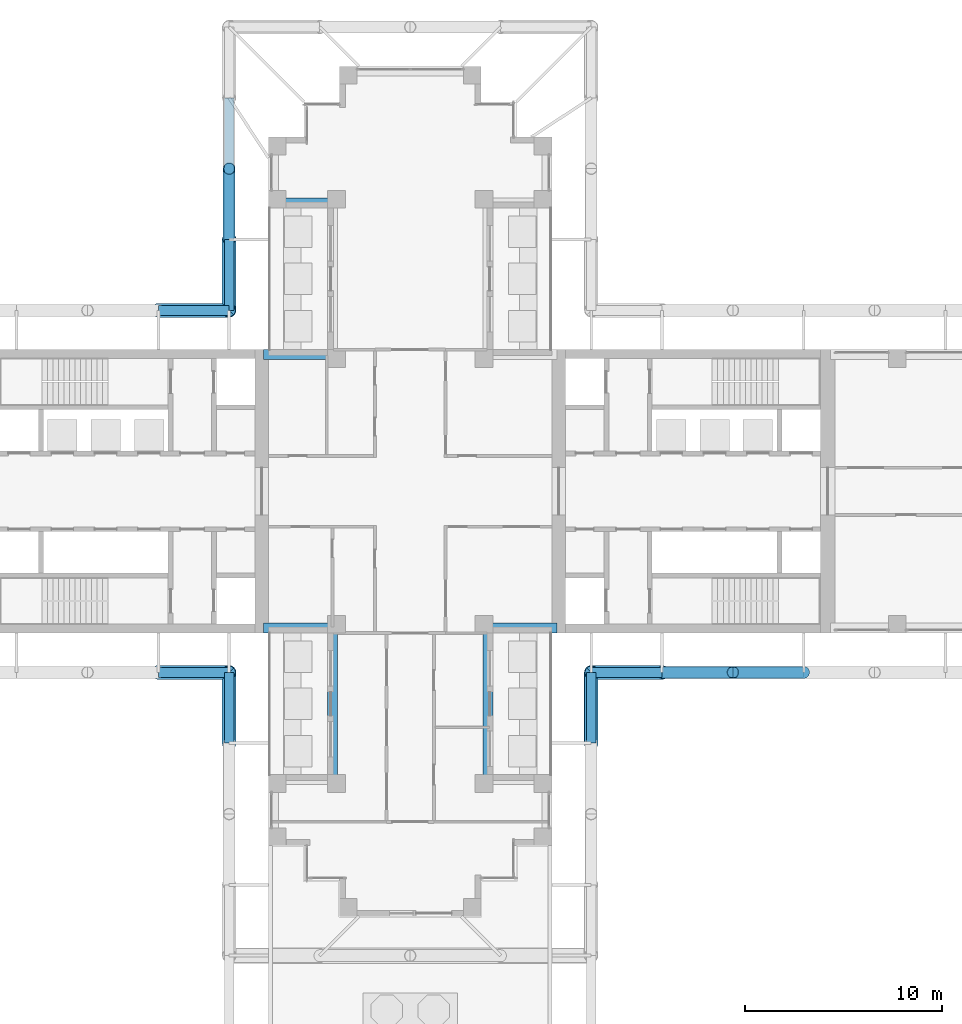
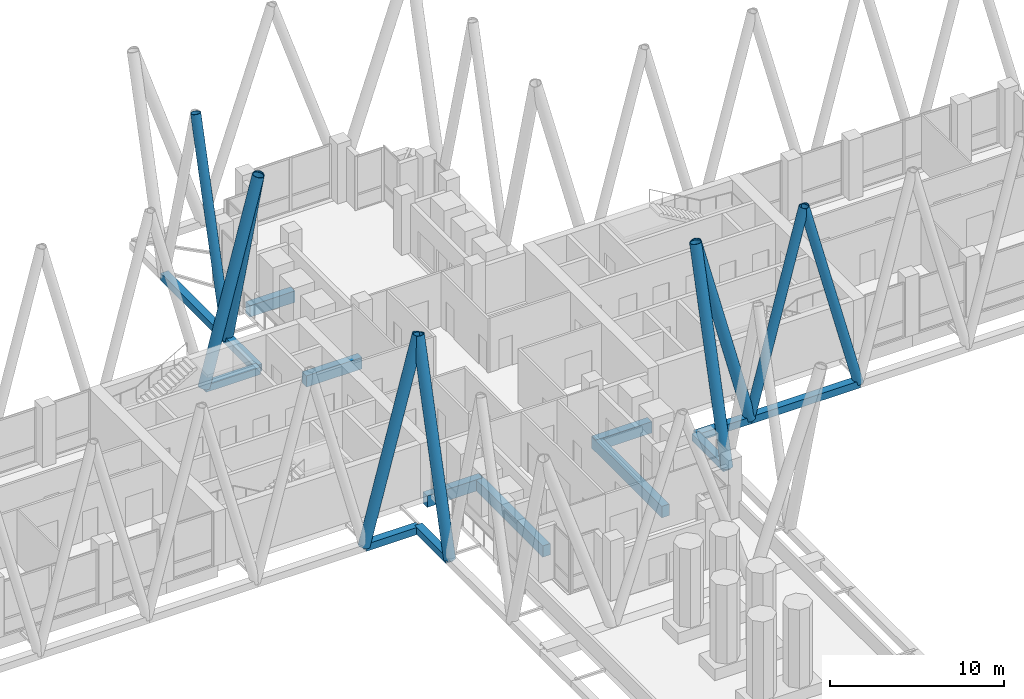
# One storey, part 6 of 22: 17 members, 6 beams.
"""IFC4 building model written with IfcOpenShell, lengths in metres."""

from ifc_helpers import new_model, si_unit, direction, frame, origin, origin_2d, place, context, subcontext, project, spatial, rectangle, hollow_rectangle, hollow_circle, extrude, material, material_profile, profile_set, type_object, element, save


model = new_model("IFC4")

# Units and contexts
model_context = context("Model", 3, precision=1e-05, world=origin(), true_north=direction((0.0, 1.0)))
body_context = subcontext(model_context, "Body", "Model", "MODEL_VIEW")
ifc_project = project(units=[si_unit("LENGTHUNIT", "METRE"), si_unit("AREAUNIT", "SQUARE_METRE"), si_unit("VOLUMEUNIT", "CUBIC_METRE"), si_unit("PLANEANGLEUNIT", "RADIAN"), si_unit("MASSUNIT", "GRAM", prefix="KILO")], contexts=[model_context])

# Site, building, storey
site_placement = place(None, origin())
site = spatial("IfcSite", under=ifc_project, at=site_placement, CompositionType="ELEMENT")
building_placement = place(site_placement, origin())
building = spatial("IfcBuilding", under=site, at=building_placement, Name="Fustian Cross Tower", CompositionType="ELEMENT")
storey_placement = place(building_placement, frame((0.0, 0.0, 116.10009765625)))
storey = spatial("IfcBuildingStorey", under=building, at=storey_placement, Name="L36", CompositionType="ELEMENT", Elevation=116.10009765625)

# Members
ifc_material_1 = material(Name="Steel S355", Category="steel")
ifc_material_profile_1 = material_profile(ifc_material_1, hollow_circle(Radius=0.3046875, WallThickness=0.02490234375, at=origin_2d()), Name="CHS 610x25")
ifc_profile_set_1 = profile_set([ifc_material_profile_1], Name="Steel S355")
member_type_1 = type_object("IfcMemberType", Name="DIAGRID DIAGONAL CHS 610x25", PredefinedType="BRACE", material=ifc_profile_set_1)
member_1_placement = place(storey_placement, frame((12.800048828125, -9.199951171875, -0.400146484375), z_axis=(0.255881112712, 0.0, 0.966708258037), x_axis=(0.0, 1.0, 0.0)))
element("IfcMember", 1, at=member_1_placement, inside=storey, type_object=member_type_1, Name="Diagrid diagonal E-S 02", PredefinedType="BRACE", context=body_context, shape_type="SweptSolid", body=[
    extrude(hollow_circle(Radius=0.3046875, WallThickness=0.02490234375, at=origin_2d()), origin(), (0.0, 0.0, 1.0), 14.068359375),
])
member_2_placement = place(storey_placement, frame((20.0, -9.199951171875, -0.400146484375), z_axis=(-0.255897330119, 0.0, 0.966703965254), x_axis=(0.0, -1.0, 0.0)))
element("IfcMember", 2, at=member_2_placement, inside=storey, type_object=member_type_1, Name="Diagrid diagonal E-S 03", PredefinedType="BRACE", context=body_context, shape_type="SweptSolid", body=[
    extrude(hollow_circle(Radius=0.3046875, WallThickness=0.02490234375, at=origin_2d()), origin(), (0.0, 0.0, 1.0), 14.068603515625),
])
member_3_placement = place(storey_placement, frame((-9.199951171875, 12.800048828125, -0.400146484375), z_axis=(0.0, 0.255881112712, 0.966708258037), x_axis=(-1.0, 0.0, 0.0)))
element("IfcMember", 3, at=member_3_placement, inside=storey, type_object=member_type_1, Name="Diagrid diagonal N-W 03", PredefinedType="BRACE", context=body_context, shape_type="SweptSolid", body=[
    extrude(hollow_circle(Radius=0.3046875, WallThickness=0.02490234375, at=origin_2d()), origin(), (0.0, 0.0, 1.0), 14.068359375),
])
ifc_material_2 = material(Name="Steel S355", Category="steel")
ifc_material_profile_2 = material_profile(ifc_material_2, hollow_circle(Radius=0.355712890625, WallThickness=0.031982421875, at=origin_2d()), Name="CHS 711x32")
ifc_profile_set_2 = profile_set([ifc_material_profile_2], Name="Steel S355")
member_type_2 = type_object("IfcMemberType", Name="DIAGRID DIAGONAL CHS 711x32", PredefinedType="BRACE", material=ifc_profile_set_2)
for number, where, z_axis, x_axis, name in (
    (4, (12.800048828125, -9.199951171875, -0.400146484375), (-0.255897330119, 0.0, 0.966703965254), (0.0, -1.0, 0.0), "Diagrid diagonal E-S 01"),
    (5, (-9.199951171875, 12.800048828125, -0.400146484375), (0.0, -0.255897330119, 0.966703965254), (1.0, 0.0, 0.0), "Diagrid diagonal N-W 04"),
    (6, (-12.800048828125, 9.199951171875, -0.400146484375), (0.255897330119, 0.0, 0.966703965254), (0.0, 1.0, 0.0), "Diagrid diagonal W-N 01"),
    (7, (-12.800048828125, -9.199951171875, -0.400146484375), (0.255897330119, 0.0, 0.966703965254), (0.0, 1.0, 0.0), "Diagrid diagonal W-S 10"),
    (8, (-9.199951171875, -12.800048828125, -0.400146484375), (0.0, 0.255897330119, 0.966703965254), (-1.0, 0.0, 0.0), "Diagrid diagonal S-W 01"),
    (9, (9.199951171875, -12.800048828125, -0.400146484375), (0.0, 0.255897330119, 0.966703965254), (-1.0, 0.0, 0.0), "Diagrid diagonal S-E 04"),
):
    element("IfcMember", number, at=place(storey_placement, frame(where, z_axis=z_axis, x_axis=x_axis)), inside=storey, type_object=member_type_2, Name=name, PredefinedType="BRACE", context=body_context, shape_type="SweptSolid", body=[
        extrude(hollow_circle(Radius=0.355712890625, WallThickness=0.031982421875, at=origin_2d()), origin(), (0.0, 0.0, 1.0), 14.068603515625),
    ])
ifc_material_3 = material(Name="Steel S355", Category="steel")
ifc_material_profile_3 = material_profile(ifc_material_3, hollow_rectangle(XDim=0.5, YDim=0.5, WallThickness=0.02490234375, at=origin_2d()), Name="RHS 500x500x25")
ifc_profile_set_3 = profile_set([ifc_material_profile_3], Name="Steel S355")
member_type_3 = type_object("IfcMemberType", Name="DIAGRID RING RHS 500x500x25", PredefinedType="MEMBER", material=ifc_profile_set_3)
member_4_placement = place(storey_placement, frame((-9.199951171875, 20.0, -0.400146484375), z_axis=(0.0, -1.0, 0.0), x_axis=(1.0, 0.0, 0.0)))
element("IfcMember", 10, at=member_4_placement, inside=storey, type_object=member_type_3, Name="Diagrid ring L36-15 L36-16", PredefinedType="MEMBER", context=body_context, shape_type="SweptSolid", body=[
    extrude(hollow_rectangle(XDim=0.5, YDim=0.5, WallThickness=0.02490234375, at=origin_2d()), origin(), (0.0, 0.0, 1.0), 7.199951171875),
])
for number, where, z_axis, x_axis, name in (
    (11, (-9.199951171875, 12.800048828125, -0.400146484375), (0.0, -1.0, 0.0), (1.0, 0.0, 0.0), "Diagrid ring L36-16 L36-17"),
    (12, (-9.199951171875, 9.199951171875, -0.400146484375), (-1.0, 0.0, 0.0), (0.0, -1.0, 0.0), "Diagrid ring L36-17 L36-18"),
    (13, (-12.800048828125, -9.199951171875, -0.400146484375), (1.0, 0.0, 0.0), (0.0, 1.0, 0.0), "Diagrid ring L36-32 L36-33"),
    (14, (-9.199951171875, -9.199951171875, -0.400146484375), (0.0, -1.0, 0.0), (1.0, 0.0, 0.0), "Diagrid ring L36-33 L36-34"),
    (15, (9.199951171875, -12.800048828125, -0.400146484375), (0.0, 1.0, 0.0), (-1.0, 0.0, 0.0), "Diagrid ring L36-51 L36-52"),
    (16, (9.199951171875, -9.199951171875, -0.400146484375), (1.0, 0.0, 0.0), (0.0, 1.0, 0.0), "Diagrid ring L36-52 L36-53"),
):
    element("IfcMember", number, at=place(storey_placement, frame(where, z_axis=z_axis, x_axis=x_axis)), inside=storey, type_object=member_type_3, Name=name, PredefinedType="MEMBER", context=body_context, shape_type="SweptSolid", body=[
        extrude(hollow_rectangle(XDim=0.5, YDim=0.5, WallThickness=0.02490234375, at=origin_2d()), origin(), (0.0, 0.0, 1.0), 3.60009765625),
    ])
member_5_placement = place(storey_placement, frame((12.800048828125, -9.199951171875, -0.400146484375), z_axis=(1.0, 0.0, 0.0), x_axis=(0.0, 1.0, 0.0)))
element("IfcMember", 17, at=member_5_placement, inside=storey, type_object=member_type_3, Name="Diagrid ring L36-53 L36-54", PredefinedType="MEMBER", context=body_context, shape_type="SweptSolid", body=[
    extrude(hollow_rectangle(XDim=0.5, YDim=0.5, WallThickness=0.02490234375, at=origin_2d()), origin(), (0.0, 0.0, 1.0), 7.199951171875),
])

# Beams
ifc_material_4 = material(Name="Concrete C50/60", Category="concrete")
ifc_material_profile_4 = material_profile(ifc_material_4, rectangle(XDim=0.5, YDim=0.800048828125, at=origin_2d()), Name="RC 500x800")
ifc_profile_set_4 = profile_set([ifc_material_profile_4], Name="Concrete C50/60")
beam_type = type_object("IfcBeamType", Name="EDGE BEAM RC 500x800 C50/60", PredefinedType="SPANDREL", material=ifc_profile_set_4)
beam_1_placement = place(storey_placement, frame((-6.75, 14.64990234375, -0.400146484375), z_axis=(1.0, 0.0, 0.0), x_axis=(0.0, 1.0, 0.0)))
element("IfcBeam", 18, at=beam_1_placement, inside=storey, type_object=beam_type, Name="EDGE BEAM L36-16", PredefinedType="SPANDREL", context=body_context, shape_type="SweptSolid", body=[
    extrude(rectangle(XDim=0.5, YDim=0.800048828125, at=origin_2d()), origin(), (0.0, 0.0, 1.0), 3.0),
])
for number, where, z_axis, x_axis, name in (
    (19, (-3.75, 6.949951171875, -0.400146484375), (-1.0, 0.0, 0.0), (0.0, -1.0, 0.0), "EDGE BEAM L36-18"),
    (20, (-7.449951171875, -6.949951171875, -0.400146484375), (1.0, 0.0, 0.0), (0.0, 1.0, 0.0), "EDGE BEAM L36-28"),
):
    element("IfcBeam", number, at=place(storey_placement, frame(where, z_axis=z_axis, x_axis=x_axis)), inside=storey, type_object=beam_type, Name=name, PredefinedType="SPANDREL", context=body_context, shape_type="SweptSolid", body=[
        extrude(rectangle(XDim=0.5, YDim=0.800048828125, at=origin_2d()), origin(), (0.0, 0.0, 1.0), 3.699951171875),
    ])
for number, where, z_axis, x_axis, name in (
    (21, (-3.949951171875, -6.75, -0.400146484375), (0.0, -1.0, 0.0), (1.0, 0.0, 0.0), "EDGE BEAM L36-29"),
    (22, (3.949951171875, -14.85009765625, -0.400146484375), (0.0, 1.0, 0.0), (-1.0, 0.0, 0.0), "EDGE BEAM L36-34"),
):
    element("IfcBeam", number, at=place(storey_placement, frame(where, z_axis=z_axis, x_axis=x_axis)), inside=storey, type_object=beam_type, Name=name, PredefinedType="SPANDREL", context=body_context, shape_type="SweptSolid", body=[
        extrude(rectangle(XDim=0.5, YDim=0.800048828125, at=origin_2d()), origin(), (0.0, 0.0, 1.0), 8.10009765625),
    ])
beam_2_placement = place(storey_placement, frame((3.75, -6.949951171875, -0.400146484375), z_axis=(1.0, 0.0, 0.0), x_axis=(0.0, 1.0, 0.0)))
element("IfcBeam", 23, at=beam_2_placement, inside=storey, type_object=beam_type, Name="EDGE BEAM L36-35", PredefinedType="SPANDREL", context=body_context, shape_type="SweptSolid", body=[
    extrude(rectangle(XDim=0.5, YDim=0.800048828125, at=origin_2d()), origin(), (0.0, 0.0, 1.0), 3.699951171875),
])

save(model, "model.ifc")
